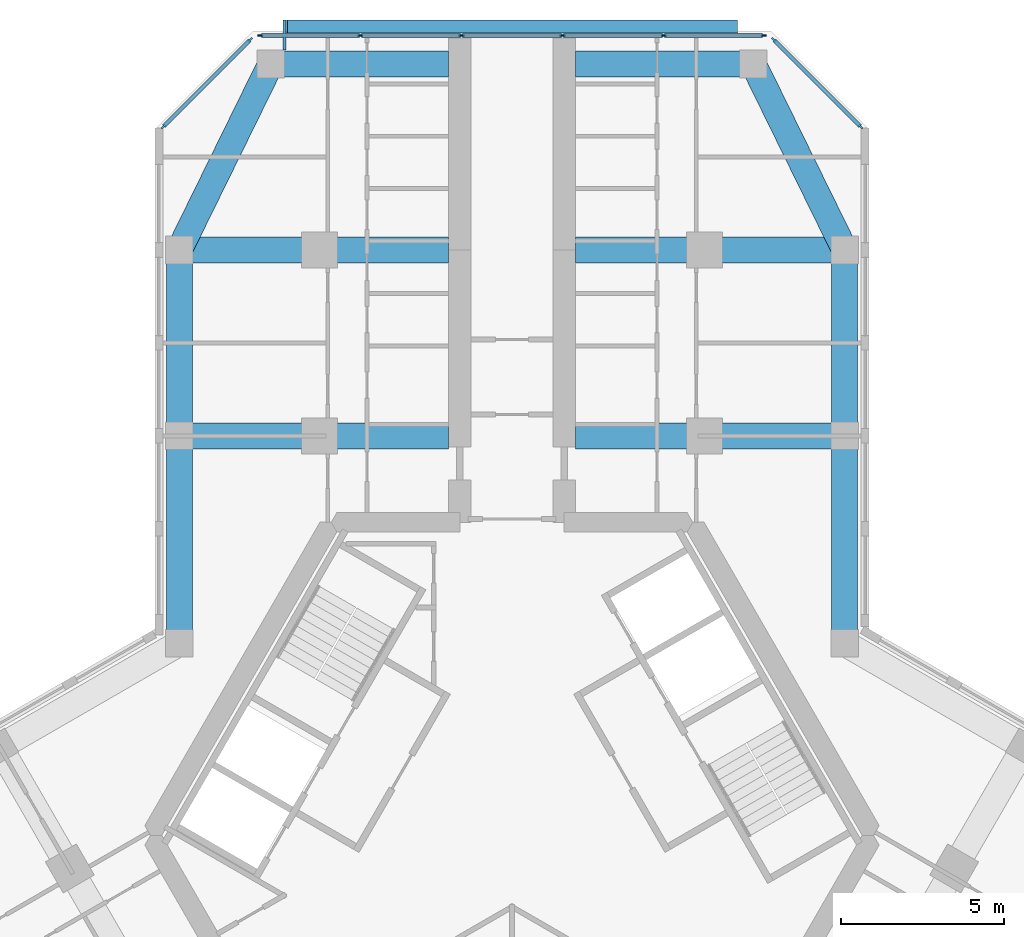
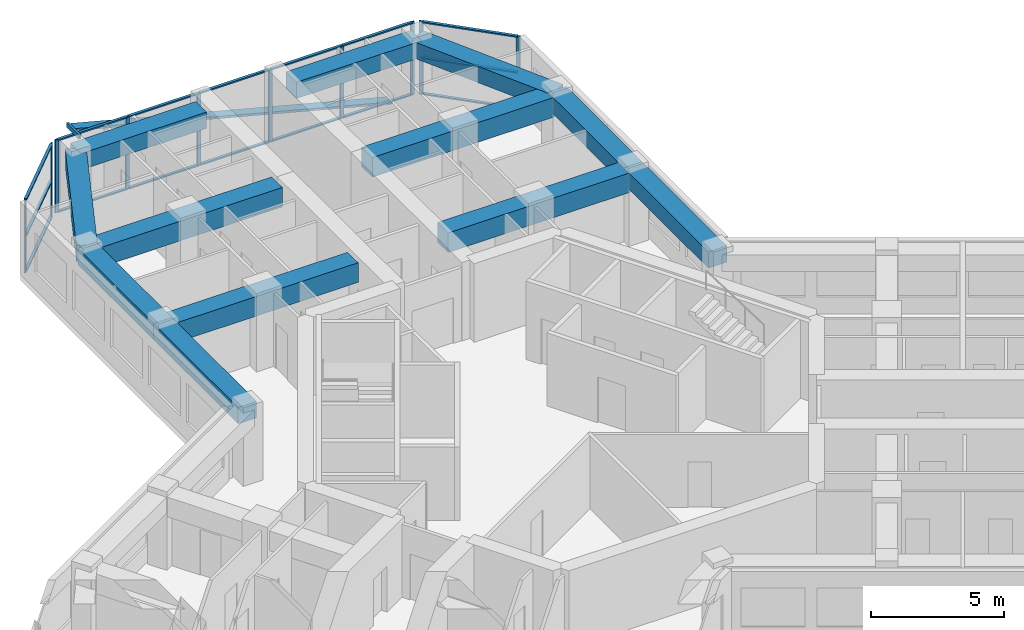
# One storey, part 6 of 16: 28 members, 12 beams, 3 elements without a shape of their own.
"""IFC4 building model written with IfcOpenShell, lengths in metres."""

import ifcopenshell
import ifcopenshell.guid

model = None  # the IFC model being written
_history = None  # IfcOwnerHistory: only IFC2X3 demands one
_inside = {}  # id of a spatial element -> (the spatial element, [elements in it])
_under = {}  # id of a project, library or spatial element -> (it, [spatial elements below it])
_declared = {}  # id of a project -> (the project, [libraries it declares])
_typed = {}  # id of a type object -> (the type object, [elements of that type])
_made_of = {}  # id of a material, layer set ... -> (it, [elements and type objects made of it])


def new_model(schema):
    """Start an empty IFC model of exactly this schema.

    Asked for "IFC4X3", IfcOpenShell would pick the latest addendum, in which some entities
    have other attributes; the version numbers below select the first issue.
    IFC2X3 requires an IfcOwnerHistory on every rooted entity: one is made here for all.
    """
    global model, _history
    if schema == "IFC4X3":
        model = ifcopenshell.file(schema_version=(4, 3, 0, 0))
    else:
        model = ifcopenshell.file(schema=schema)
    _inside.clear()
    _under.clear()
    _declared.clear()
    _typed.clear()
    _made_of.clear()
    _history = None
    if model.schema == "IFC2X3":
        org = make("IfcOrganization", Name="unknown")
        user = make(
            "IfcPersonAndOrganization",
            ThePerson=make("IfcPerson", FamilyName="unknown"),
            TheOrganization=org,
        )
        app = make(
            "IfcApplication",
            ApplicationDeveloper=org,
            Version="unknown",
            ApplicationFullName="unknown",
            ApplicationIdentifier="unknown",
        )
        _history = make(
            "IfcOwnerHistory",
            OwningUser=user,
            OwningApplication=app,
            ChangeAction="ADDED",
            CreationDate=0,
        )
    return model


def make(cls, **values):
    """One entity of the class cls with the attributes given. An attribute that is None is left unset."""
    return model.create_entity(
        cls, **{name: value for name, value in values.items() if value is not None}
    )


def rooted(cls, **values):
    """An entity with a GlobalId (a new one), such as an element, a storey or a relation."""
    return make(cls, GlobalId=ifcopenshell.guid.new(), OwnerHistory=_history, **values)


def si_unit(unit_type, name, prefix=None):
    """IfcSIUnit, for example si_unit("LENGTHUNIT", "METRE", prefix="MILLI")."""
    return make("IfcSIUnit", UnitType=unit_type, Prefix=prefix, Name=name)


def assignment(units):
    """IfcUnitAssignment: the units of a project."""
    return None if units is None else make("IfcUnitAssignment", Units=units)


def point(xyz):
    """IfcCartesianPoint."""
    return None if xyz is None else make("IfcCartesianPoint", Coordinates=xyz)


def direction(xyz):
    """IfcDirection."""
    return None if xyz is None else make("IfcDirection", DirectionRatios=xyz)


def frame(location, z_axis=None, x_axis=None):
    """IfcAxis2Placement3D, a coordinate frame: its origin and axes. An axis left out is left unset."""
    return make(
        "IfcAxis2Placement3D",
        Location=point(location),
        Axis=direction(z_axis),
        RefDirection=direction(x_axis),
    )


def frame_2d(location, x_axis=None):
    """IfcAxis2Placement2D, a coordinate frame in the plane: its origin and x axis."""
    return make(
        "IfcAxis2Placement2D", Location=point(location), RefDirection=direction(x_axis)
    )


def origin():
    """The frame at (0, 0, 0) with its axes left unset."""
    return frame((0.0, 0.0, 0.0))


def origin_2d():
    """The frame at (0, 0) in the plane with its x axis left unset."""
    return frame_2d((0.0, 0.0))


def place(relative_to, where):
    """IfcLocalPlacement: puts the frame where relative to a parent placement (None: the world)."""
    return make(
        "IfcLocalPlacement", PlacementRelTo=relative_to, RelativePlacement=where
    )


def context(
    kind, dimensions, precision=None, world=None, true_north=None, identifier=None
):
    """IfcGeometricRepresentationContext, for example the 3D "Model" context."""
    return make(
        "IfcGeometricRepresentationContext",
        ContextIdentifier=identifier,
        ContextType=kind,
        CoordinateSpaceDimension=dimensions,
        Precision=precision,
        WorldCoordinateSystem=world,
        TrueNorth=true_north,
    )


def subcontext(parent, identifier, kind, view, scale=None):
    """IfcGeometricRepresentationSubContext, for example "Body" below "Model"."""
    return make(
        "IfcGeometricRepresentationSubContext",
        ContextIdentifier=identifier,
        ContextType=kind,
        ParentContext=parent,
        TargetScale=scale,
        TargetView=view,
    )


def project(units=None, contexts=None):
    """IfcProject with its units and contexts."""
    return rooted(
        "IfcProject",
        Name="project",
        RepresentationContexts=contexts,
        UnitsInContext=assignment(units),
    )


def spatial(cls, under=None, at=None, **own):
    """A site, building, storey or space (cls), placed at a placement, below another one or the project."""
    s = rooted(cls, ObjectPlacement=at, **own)
    if under is not None:
        _under.setdefault(under.id(), (under, []))[1].append(s)
    return s


def profile(cls, at=None, kind="AREA", **sizes):
    """A parametric profile (cls). Its sizes go by their IFC names, for example OverallWidth=200.0."""
    return make(cls, ProfileType=kind, Position=at, **sizes)


def rectangle(**sizes):
    """IfcRectangleProfileDef."""
    return profile("IfcRectangleProfileDef", **sizes)


def hollow_rectangle(**sizes):
    """IfcRectangleHollowProfileDef."""
    return profile("IfcRectangleHollowProfileDef", **sizes)


def extrude(swept, where, along, depth):
    """IfcExtrudedAreaSolid: the profile swept, set in the frame where, extruded along a direction by depth."""
    return make(
        "IfcExtrudedAreaSolid",
        SweptArea=swept,
        Position=where,
        ExtrudedDirection=direction(along),
        Depth=depth,
    )


def shape(context_of_items, identifier, shape_type, items):
    """IfcShapeRepresentation: the items that make up one representation, for example the "Body"."""
    return make(
        "IfcShapeRepresentation",
        ContextOfItems=context_of_items,
        RepresentationIdentifier=identifier,
        RepresentationType=shape_type,
        Items=items,
    )


def material(Name=None, Category=None):
    """IfcMaterial."""
    return make("IfcMaterial", Name=Name, Category=Category)


def material_profile(
    of_material, cross_section, Name=None, Category=None, Priority=None
):
    """IfcMaterialProfile: a cross section and its material."""
    return make(
        "IfcMaterialProfile",
        Name=Name,
        Material=of_material,
        Profile=cross_section,
        Priority=Priority,
        Category=Category,
    )


def profile_set(profiles, Name=None, composite=None):
    """IfcMaterialProfileSet."""
    return make(
        "IfcMaterialProfileSet",
        Name=Name,
        MaterialProfiles=profiles,
        CompositeProfile=composite,
    )


def made_of(thing, what):
    """Note that an element or type object is made of a material, layer set ...; save() writes the relation."""
    if what is not None:
        _made_of.setdefault(what.id(), (what, []))[1].append(thing)
    return thing


def type_object(cls, material=None, **own):
    """A type object (cls), such as IfcWallType, which elements share."""
    return made_of(rooted(cls, **own), material)


def element(
    cls,
    number,
    at=None,
    inside=None,
    cuts=None,
    type_object=None,
    material=None,
    context=None,
    identifier="Body",
    shape_type=None,
    held_by="IfcProductDefinitionShape",
    body=None,
    shapes=None,
    **own,
):
    """One element of the class cls, such as IfcWall. Its Tag is "e" and its number.

    at: its placement. inside: the storey or other place that contains it. cuts: it is an
    opening in that element (IfcRelVoidsElement). A single representation is given by context,
    identifier, shape_type and body (its items); several are given by shapes. held_by: the class
    of the entity that holds the representations. save() writes the other relations.
    """
    e = rooted(cls, Tag="e%d" % number, ObjectPlacement=at, **own)
    if body is not None:
        shapes = [shape(context, identifier, shape_type, body)]
    if shapes is not None:
        e.Representation = make(held_by, Representations=shapes)
    if inside is not None:
        _inside.setdefault(inside.id(), (inside, []))[1].append(e)
    if cuts is not None:
        rooted(
            "IfcRelVoidsElement", RelatingBuildingElement=cuts, RelatedOpeningElement=e
        )
    if type_object is not None:
        _typed.setdefault(type_object.id(), (type_object, []))[1].append(e)
    return made_of(e, material)


def aggregate(whole, parts):
    """IfcRelAggregates: a whole, such as a stair, and the parts it consists of."""
    return rooted("IfcRelAggregates", RelatingObject=whole, RelatedObjects=parts)


def save(model, path):
    """Write the relations noted so far, then the file.

    IfcRelAggregates (storeys below a building ...), IfcRelContainedInSpatialStructure (elements
    in a storey), IfcRelDefinesByType, IfcRelAssociatesMaterial and IfcRelDeclares: one each for
    every whole, place, type object, material and project.
    """
    for whole, parts in _under.values():
        aggregate(whole, parts)
    for where, things in _inside.values():
        rooted(
            "IfcRelContainedInSpatialStructure",
            RelatedElements=things,
            RelatingStructure=where,
        )
    for kind, things in _typed.values():
        rooted("IfcRelDefinesByType", RelatedObjects=things, RelatingType=kind)
    for what, things in _made_of.values():
        rooted("IfcRelAssociatesMaterial", RelatedObjects=things, RelatingMaterial=what)
    for by, libraries in _declared.values():
        rooted("IfcRelDeclares", RelatingContext=by, RelatedDefinitions=libraries)
    model.write(path)


model = new_model("IFC4")

# Units and contexts
model_context = context("Model", 3, precision=1e-05, world=origin(), true_north=direction((0.0, 1.0)))
body_context = subcontext(model_context, "Body", "Model", "MODEL_VIEW")
ifc_project = project(units=[si_unit("LENGTHUNIT", "METRE"), si_unit("AREAUNIT", "SQUARE_METRE"), si_unit("VOLUMEUNIT", "CUBIC_METRE"), si_unit("PLANEANGLEUNIT", "RADIAN"), si_unit("MASSUNIT", "GRAM", prefix="KILO")], contexts=[model_context])

# Site, building, storey
site_placement = place(None, origin())
site = spatial("IfcSite", under=ifc_project, at=site_placement, CompositionType="ELEMENT")
building_placement = place(site_placement, origin())
building = spatial("IfcBuilding", under=site, at=building_placement, Name="Kosmar Iwan School Tower", CompositionType="ELEMENT")
storey_placement = place(building_placement, frame((0.0, 0.0, 238.800048828125)))
storey = spatial("IfcBuildingStorey", under=building, at=storey_placement, Name="L60", CompositionType="ELEMENT", Elevation=238.800048828125)

# Members
ifc_material_1 = material(Name="Black anodised aluminium", Category="aluminium")
ifc_material_profile_1 = material_profile(ifc_material_1, rectangle(XDim=0.10009765625, YDim=0.39990234375, at=origin_2d()), Name="FIN 100x400")
ifc_profile_set_1 = profile_set([ifc_material_profile_1], Name="Black anodised aluminium")
member_type_1 = type_object("IfcMemberType", Name="Diagonal fin 100x400", PredefinedType="USERDEFINED", material=ifc_profile_set_1)
member_1_placement = place(storey_placement, frame((6.898193359375, 24.800048828125, -0.150146484375), z_axis=(-0.967599450335, 0.0, 0.252490205179), x_axis=(0.252490205179, 0.0, 0.967599450335)))
element("IfcMember", 1, at=member_1_placement, inside=storey, type_object=member_type_1, Name="Diagonal fin L60-F06", ObjectType="FIN", PredefinedType="USERDEFINED", context=body_context, shape_type="SweptSolid", body=[
    extrude(rectangle(XDim=0.10009765625, YDim=0.39990234375, at=origin_2d()), origin(), (0.0, 0.0, 1.0), 14.25830078125),
])
ifc_material_2 = material(Name="Steel S355", Category="steel")
ifc_material_profile_2 = material_profile(ifc_material_2, hollow_rectangle(XDim=0.10009765625, YDim=0.199951171875, WallThickness=0.008056640625, at=origin_2d()), Name="RHS 200x100x8")
ifc_profile_set_2 = profile_set([ifc_material_profile_2], Name="Steel S355")
member_type_2 = type_object("IfcMemberType", Name="Fin bracket RHS 200x100", PredefinedType="USERDEFINED", material=ifc_profile_set_2)
member_2_placement = place(storey_placement, frame((-6.97509765625, 24.074951171875, 3.474853515625), z_axis=(0.0, 1.0, 0.0), x_axis=(-1.0, 0.0, 0.0)))
element("IfcMember", 2, at=member_2_placement, inside=storey, type_object=member_type_2, Name="Fin bracket L61", ObjectType="FIN BRACKET", PredefinedType="USERDEFINED", context=body_context, shape_type="SweptSolid", body=[
    extrude(hollow_rectangle(XDim=0.10009765625, YDim=0.199951171875, WallThickness=0.008056640625, at=origin_2d()), origin(), (0.0, 0.0, 1.0), 0.925048828125),
])

# Curtain wall, members
ifc_material_3 = material(Name="Dark glass in black aluminium frame", Category="aluminium")
curtain_wall_type_1 = type_object("IfcCurtainWallType", Name="Chamfer curtain wall dark glass", PredefinedType="USERDEFINED", material=ifc_material_3)
curtain_wall_1_placement = place(storey_placement, origin())
curtain_wall_1 = element("IfcCurtainWall", 3, at=curtain_wall_1_placement, inside=storey, type_object=curtain_wall_type_1, Name="Curtain wall L60-F05", ObjectType="FACETED CURTAIN WALL", PredefinedType="USERDEFINED")
ifc_material_4 = material(Name="Black anodised aluminium", Category="aluminium")
ifc_material_profile_3 = material_profile(ifc_material_4, rectangle(XDim=0.06005859375, YDim=0.159912109375, at=origin_2d()), Name="MULLION 60x160")
ifc_profile_set_3 = profile_set([ifc_material_profile_3], Name="Black anodised aluminium")
member_type_3 = type_object("IfcMemberType", Name="Mullion 60x160", PredefinedType="MULLION", material=ifc_profile_set_3)
member_3_placement = place(storey_placement, frame((10.69775390625, 21.7255859375, 0.0), z_axis=(0.0, 0.0, 1.0), x_axis=(-0.707106781187, -0.707106781187, 0.0)))
member_3 = element("IfcMember", 4, at=member_3_placement, type_object=member_type_3, Name="CW2 mullion 1", PredefinedType="MULLION", context=body_context, shape_type="SweptSolid", body=[
    extrude(rectangle(XDim=0.06005859375, YDim=0.159912109375, at=origin_2d()), origin(), (0.0, 0.0, 1.0), 3.349853515625),
])
member_4_placement = place(storey_placement, frame((8.025390625, 24.397705078125, 0.0), z_axis=(0.0, 0.0, 1.0), x_axis=(-0.707106781187, -0.707106781187, 0.0)))
member_4 = element("IfcMember", 5, at=member_4_placement, type_object=member_type_3, Name="CW2 mullion 2", PredefinedType="MULLION", context=body_context, shape_type="SweptSolid", body=[
    extrude(rectangle(XDim=0.06005859375, YDim=0.159912109375, at=origin_2d()), origin(), (0.0, 0.0, 1.0), 3.349853515625),
])

ifc_material_5 = material(Name="Dark glass in black aluminium frame", Category="aluminium")
curtain_wall_type_2 = type_object("IfcCurtainWallType", Name="Tower curtain wall dark glass", PredefinedType="USERDEFINED", material=ifc_material_5)
curtain_wall_2_placement = place(storey_placement, origin())
curtain_wall_2 = element("IfcCurtainWall", 6, at=curtain_wall_2_placement, inside=storey, type_object=curtain_wall_type_2, Name="Curtain wall L60-F06", ObjectType="UNITISED CURTAIN WALL", PredefinedType="USERDEFINED")
member_5_placement = place(storey_placement, frame((7.71826171875, 24.52490234375, 0.0), z_axis=(0.0, 0.0, 1.0), x_axis=(0.0, -1.0, 0.0)))
member_5 = element("IfcMember", 7, at=member_5_placement, type_object=member_type_3, Name="CW1 mullion 1", PredefinedType="MULLION", context=body_context, shape_type="SweptSolid", body=[
    extrude(rectangle(XDim=0.06005859375, YDim=0.159912109375, at=origin_2d()), origin(), (0.0, 0.0, 1.0), 3.349853515625),
])
member_6_placement = place(storey_placement, frame((4.64892578125, 24.52490234375, 0.0), z_axis=(0.0, 0.0, 1.0), x_axis=(0.0, -1.0, 0.0)))
member_6 = element("IfcMember", 8, at=member_6_placement, type_object=member_type_3, Name="CW1 mullion 2", PredefinedType="MULLION", context=body_context, shape_type="SweptSolid", body=[
    extrude(rectangle(XDim=0.06005859375, YDim=0.159912109375, at=origin_2d()), origin(), (0.0, 0.0, 1.0), 3.349853515625),
])
member_7_placement = place(storey_placement, frame((1.549560546875, 24.52490234375, 0.0), z_axis=(0.0, 0.0, 1.0), x_axis=(0.0, -1.0, 0.0)))
member_7 = element("IfcMember", 9, at=member_7_placement, type_object=member_type_3, Name="CW1 mullion 3", PredefinedType="MULLION", context=body_context, shape_type="SweptSolid", body=[
    extrude(rectangle(XDim=0.06005859375, YDim=0.159912109375, at=origin_2d()), origin(), (0.0, 0.0, 1.0), 3.349853515625),
])
member_8_placement = place(storey_placement, frame((-1.549560546875, 24.52490234375, 0.0), z_axis=(0.0, 0.0, 1.0), x_axis=(0.0, -1.0, 0.0)))
member_8 = element("IfcMember", 10, at=member_8_placement, type_object=member_type_3, Name="CW1 mullion 4", PredefinedType="MULLION", context=body_context, shape_type="SweptSolid", body=[
    extrude(rectangle(XDim=0.06005859375, YDim=0.159912109375, at=origin_2d()), origin(), (0.0, 0.0, 1.0), 3.349853515625),
])
member_9_placement = place(storey_placement, frame((-4.64892578125, 24.52490234375, 0.0), z_axis=(0.0, 0.0, 1.0), x_axis=(0.0, -1.0, 0.0)))
member_9 = element("IfcMember", 11, at=member_9_placement, type_object=member_type_3, Name="CW1 mullion 5", PredefinedType="MULLION", context=body_context, shape_type="SweptSolid", body=[
    extrude(rectangle(XDim=0.06005859375, YDim=0.159912109375, at=origin_2d()), origin(), (0.0, 0.0, 1.0), 3.349853515625),
])
member_10_placement = place(storey_placement, frame((-7.71826171875, 24.52490234375, 0.0), z_axis=(0.0, 0.0, 1.0), x_axis=(0.0, -1.0, 0.0)))
member_10 = element("IfcMember", 12, at=member_10_placement, type_object=member_type_3, Name="CW1 mullion 6", PredefinedType="MULLION", context=body_context, shape_type="SweptSolid", body=[
    extrude(rectangle(XDim=0.06005859375, YDim=0.159912109375, at=origin_2d()), origin(), (0.0, 0.0, 1.0), 3.349853515625),
])

curtain_wall_3_placement = place(storey_placement, origin())
curtain_wall_3 = element("IfcCurtainWall", 13, at=curtain_wall_3_placement, inside=storey, type_object=curtain_wall_type_1, Name="Curtain wall L60-F07", ObjectType="FACETED CURTAIN WALL", PredefinedType="USERDEFINED")
member_11_placement = place(storey_placement, frame((-8.025390625, 24.397705078125, 0.0), z_axis=(0.0, 0.0, 1.0), x_axis=(0.707106781187, -0.707106781187, 0.0)))
member_11 = element("IfcMember", 14, at=member_11_placement, type_object=member_type_3, Name="CW2 mullion 1", PredefinedType="MULLION", context=body_context, shape_type="SweptSolid", body=[
    extrude(rectangle(XDim=0.06005859375, YDim=0.159912109375, at=origin_2d()), origin(), (0.0, 0.0, 1.0), 3.349853515625),
])
member_12_placement = place(storey_placement, frame((-10.69775390625, 21.7255859375, 0.0), z_axis=(0.0, 0.0, 1.0), x_axis=(0.707106781187, -0.707106781187, 0.0)))
member_12 = element("IfcMember", 15, at=member_12_placement, type_object=member_type_3, Name="CW2 mullion 2", PredefinedType="MULLION", context=body_context, shape_type="SweptSolid", body=[
    extrude(rectangle(XDim=0.06005859375, YDim=0.159912109375, at=origin_2d()), origin(), (0.0, 0.0, 1.0), 3.349853515625),
])

# Beams
ifc_material_6 = material(Name="Concrete C50/60", Category="concrete")
ifc_material_profile_4 = material_profile(ifc_material_6, rectangle(XDim=0.800048828125, YDim=0.75, at=origin_2d()), Name="RC 800x750")
ifc_profile_set_4 = profile_set([ifc_material_profile_4], Name="Concrete C50/60")
beam_type_1 = type_object("IfcBeamType", Name="RC edge beam 800x750", PredefinedType="BEAM", material=ifc_profile_set_4)
beam_1_placement = place(storey_placement, frame((-10.199951171875, 5.888916015625, 2.974853515625), z_axis=(0.0, 1.0, 0.0), x_axis=(-1.0, 0.0, 0.0)))
element("IfcBeam", 16, at=beam_1_placement, inside=storey, type_object=beam_type_1, Name="Edge beam AL1", PredefinedType="BEAM", context=body_context, shape_type="SweptSolid", body=[
    extrude(rectangle(XDim=0.800048828125, YDim=0.75, at=origin_2d()), origin(), (0.0, 0.0, 1.0), 6.361083984375),
])
beam_2_placement = place(storey_placement, frame((-10.199951171875, 12.25, 2.974853515625), z_axis=(0.0, 1.0, 0.0), x_axis=(-1.0, 0.0, 0.0)))
element("IfcBeam", 17, at=beam_2_placement, inside=storey, type_object=beam_type_1, Name="Edge beam AL2", PredefinedType="BEAM", context=body_context, shape_type="SweptSolid", body=[
    extrude(rectangle(XDim=0.800048828125, YDim=0.75, at=origin_2d()), origin(), (0.0, 0.0, 1.0), 5.699951171875),
])
beam_3_placement = place(storey_placement, frame((10.199951171875, 5.888916015625, 2.974853515625), z_axis=(0.0, 1.0, 0.0), x_axis=(-1.0, 0.0, 0.0)))
element("IfcBeam", 18, at=beam_3_placement, inside=storey, type_object=beam_type_1, Name="Edge beam AR1", PredefinedType="BEAM", context=body_context, shape_type="SweptSolid", body=[
    extrude(rectangle(XDim=0.800048828125, YDim=0.75, at=origin_2d()), origin(), (0.0, 0.0, 1.0), 6.361083984375),
])
beam_4_placement = place(storey_placement, frame((10.199951171875, 12.25, 2.974853515625), z_axis=(0.0, 1.0, 0.0), x_axis=(-1.0, 0.0, 0.0)))
element("IfcBeam", 19, at=beam_4_placement, inside=storey, type_object=beam_type_1, Name="Edge beam AR2", PredefinedType="BEAM", context=body_context, shape_type="SweptSolid", body=[
    extrude(rectangle(XDim=0.800048828125, YDim=0.75, at=origin_2d()), origin(), (0.0, 0.0, 1.0), 5.699951171875),
])
ifc_material_7 = material(Name="Concrete C50/60", Category="concrete")
ifc_material_profile_5 = material_profile(ifc_material_7, rectangle(XDim=0.800048828125, YDim=0.75, at=origin_2d()), Name="RC 800x750")
ifc_profile_set_5 = profile_set([ifc_material_profile_5], Name="Concrete C50/60")
beam_type_2 = type_object("IfcBeamType", Name="RC tip beam 800x750", PredefinedType="BEAM", material=ifc_profile_set_5)
beam_5_placement = place(storey_placement, frame((-10.199951171875, 17.949951171875, 2.974853515625), z_axis=(0.440913116462, 0.897549788999, 0.0), x_axis=(-0.897549788999, 0.440913116462, 0.0)))
element("IfcBeam", 20, at=beam_5_placement, inside=storey, type_object=beam_type_2, Name="Tip beam AL", PredefinedType="BEAM", context=body_context, shape_type="SweptSolid", body=[
    extrude(rectangle(XDim=0.800048828125, YDim=0.75, at=origin_2d()), origin(), (0.0, 0.0, 1.0), 6.3505859375),
])
beam_6_placement = place(storey_placement, frame((-7.39990234375, 23.64990234375, 2.974853515625), z_axis=(1.0, 0.0, 0.0), x_axis=(0.0, 1.0, 0.0)))
element("IfcBeam", 21, at=beam_6_placement, inside=storey, type_object=beam_type_2, Name="Tip beam AL to corridor wall", PredefinedType="BEAM", context=body_context, shape_type="SweptSolid", body=[
    extrude(rectangle(XDim=0.800048828125, YDim=0.75, at=origin_2d()), origin(), (0.0, 0.0, 1.0), 5.449951171875),
])
beam_7_placement = place(storey_placement, frame((10.199951171875, 17.949951171875, 2.974853515625), z_axis=(-0.440913116462, 0.897549788999, 0.0), x_axis=(-0.897549788999, -0.440913116462, 0.0)))
element("IfcBeam", 22, at=beam_7_placement, inside=storey, type_object=beam_type_2, Name="Tip beam AR", PredefinedType="BEAM", context=body_context, shape_type="SweptSolid", body=[
    extrude(rectangle(XDim=0.800048828125, YDim=0.75, at=origin_2d()), origin(), (0.0, 0.0, 1.0), 6.3505859375),
])
beam_8_placement = place(storey_placement, frame((7.39990234375, 23.64990234375, 2.974853515625), z_axis=(-1.0, 0.0, 0.0), x_axis=(0.0, -1.0, 0.0)))
element("IfcBeam", 23, at=beam_8_placement, inside=storey, type_object=beam_type_2, Name="Tip beam AR to corridor wall", PredefinedType="BEAM", context=body_context, shape_type="SweptSolid", body=[
    extrude(rectangle(XDim=0.800048828125, YDim=0.75, at=origin_2d()), origin(), (0.0, 0.0, 1.0), 5.449951171875),
])
ifc_material_8 = material(Name="Concrete C50/60", Category="concrete")
ifc_material_profile_6 = material_profile(ifc_material_8, rectangle(XDim=0.800048828125, YDim=0.89990234375, at=origin_2d()), Name="RC 800x900")
ifc_profile_set_6 = profile_set([ifc_material_profile_6], Name="Concrete C50/60")
beam_type_3 = type_object("IfcBeamType", Name="RC transverse beam 800x900", PredefinedType="BEAM", material=ifc_profile_set_6)
for number, where, z_axis, x_axis, name in (
    (24, (-10.199951171875, 12.25, 2.89990234375), (1.0, 0.0, 0.0), (0.0, 1.0, 0.0), "Transverse beam AL1"),
    (25, (-10.199951171875, 17.949951171875, 2.89990234375), (1.0, 0.0, 0.0), (0.0, 1.0, 0.0), "Transverse beam AL2"),
    (26, (10.199951171875, 12.25, 2.89990234375), (-1.0, 0.0, 0.0), (0.0, -1.0, 0.0), "Transverse beam AR1"),
    (27, (10.199951171875, 17.949951171875, 2.89990234375), (-1.0, 0.0, 0.0), (0.0, -1.0, 0.0), "Transverse beam AR2"),
):
    element("IfcBeam", number, at=place(storey_placement, frame(where, z_axis=z_axis, x_axis=x_axis)), inside=storey, type_object=beam_type_3, Name=name, PredefinedType="BEAM", context=body_context, shape_type="SweptSolid", body=[
        extrude(rectangle(XDim=0.800048828125, YDim=0.89990234375, at=origin_2d()), origin(), (0.0, 0.0, 1.0), 8.25),
    ])

# Member
ifc_material_9 = material(Name="Black anodised aluminium", Category="aluminium")
ifc_material_profile_7 = material_profile(ifc_material_9, rectangle(XDim=0.1201171875, YDim=0.06005859375, at=origin_2d()), Name="TRANSOM 60x120")
ifc_profile_set_7 = profile_set([ifc_material_profile_7], Name="Black anodised aluminium")
member_type_4 = type_object("IfcMemberType", Name="Transom 60x120", PredefinedType="USERDEFINED", material=ifc_profile_set_7)
member_13_placement = place(storey_placement, frame((10.676513671875, 21.746826171875, 0.030029296875), z_axis=(-0.707139603466, 0.707073957383, 0.0), x_axis=(-0.707073957383, -0.707139603466, 0.0)))
member_13 = element("IfcMember", 28, at=member_13_placement, type_object=member_type_4, Name="CW2 transom 1.1", ObjectType="TRANSOM", PredefinedType="USERDEFINED", context=body_context, shape_type="SweptSolid", body=[
    extrude(rectangle(XDim=0.1201171875, YDim=0.06005859375, at=origin_2d()), origin(), (0.0, 0.0, 1.0), 3.718994140625),
])

member_14_placement = place(storey_placement, frame((10.676513671875, 21.746826171875, 1.675048828125), z_axis=(-0.707139603466, 0.707073957383, 0.0), x_axis=(-0.707073957383, -0.707139603466, 0.0)))
member_14 = element("IfcMember", 29, at=member_14_placement, type_object=member_type_4, Name="CW2 transom 1.2", ObjectType="TRANSOM", PredefinedType="USERDEFINED", context=body_context, shape_type="SweptSolid", body=[
    extrude(rectangle(XDim=0.1201171875, YDim=0.06005859375, at=origin_2d()), origin(), (0.0, 0.0, 1.0), 3.718994140625),
])

member_15_placement = place(storey_placement, frame((10.676513671875, 21.746826171875, 3.320068359375), z_axis=(-0.707139603466, 0.707073957383, 0.0), x_axis=(-0.707073957383, -0.707139603466, 0.0)))
member_15 = element("IfcMember", 30, at=member_15_placement, type_object=member_type_4, Name="CW2 transom 1.3", ObjectType="TRANSOM", PredefinedType="USERDEFINED", context=body_context, shape_type="SweptSolid", body=[
    extrude(rectangle(XDim=0.1201171875, YDim=0.06005859375, at=origin_2d()), origin(), (0.0, 0.0, 1.0), 3.718994140625),
])

aggregate(curtain_wall_1, [member_3, member_4, member_13, member_14, member_15])

member_16_placement = place(storey_placement, frame((7.688232421875, 24.52490234375, 0.030029296875), z_axis=(-1.0, 0.0, 0.0), x_axis=(0.0, -1.0, 0.0)))
member_16 = element("IfcMember", 31, at=member_16_placement, type_object=member_type_4, Name="CW1 transom 1.1", ObjectType="TRANSOM", PredefinedType="USERDEFINED", context=body_context, shape_type="SweptSolid", body=[
    extrude(rectangle(XDim=0.1201171875, YDim=0.06005859375, at=origin_2d()), origin(), (0.0, 0.0, 1.0), 3.00927734375),
])

member_17_placement = place(storey_placement, frame((7.688232421875, 24.52490234375, 3.320068359375), z_axis=(-1.0, 0.0, 0.0), x_axis=(0.0, -1.0, 0.0)))
member_17 = element("IfcMember", 32, at=member_17_placement, type_object=member_type_4, Name="CW1 transom 1.2", ObjectType="TRANSOM", PredefinedType="USERDEFINED", context=body_context, shape_type="SweptSolid", body=[
    extrude(rectangle(XDim=0.1201171875, YDim=0.06005859375, at=origin_2d()), origin(), (0.0, 0.0, 1.0), 3.00927734375),
])

member_18_placement = place(storey_placement, frame((4.618896484375, 24.52490234375, 0.030029296875), z_axis=(-1.0, 0.0, 0.0), x_axis=(0.0, -1.0, 0.0)))
member_18 = element("IfcMember", 33, at=member_18_placement, type_object=member_type_4, Name="CW1 transom 2.1", ObjectType="TRANSOM", PredefinedType="USERDEFINED", context=body_context, shape_type="SweptSolid", body=[
    extrude(rectangle(XDim=0.1201171875, YDim=0.06005859375, at=origin_2d()), origin(), (0.0, 0.0, 1.0), 3.039306640625),
])

member_19_placement = place(storey_placement, frame((4.618896484375, 24.52490234375, 3.320068359375), z_axis=(-1.0, 0.0, 0.0), x_axis=(0.0, -1.0, 0.0)))
member_19 = element("IfcMember", 34, at=member_19_placement, type_object=member_type_4, Name="CW1 transom 2.2", ObjectType="TRANSOM", PredefinedType="USERDEFINED", context=body_context, shape_type="SweptSolid", body=[
    extrude(rectangle(XDim=0.1201171875, YDim=0.06005859375, at=origin_2d()), origin(), (0.0, 0.0, 1.0), 3.039306640625),
])

member_20_placement = place(storey_placement, frame((1.51953125, 24.52490234375, 0.030029296875), z_axis=(-1.0, 0.0, 0.0), x_axis=(0.0, -1.0, 0.0)))
member_20 = element("IfcMember", 35, at=member_20_placement, type_object=member_type_4, Name="CW1 transom 3.1", ObjectType="TRANSOM", PredefinedType="USERDEFINED", context=body_context, shape_type="SweptSolid", body=[
    extrude(rectangle(XDim=0.1201171875, YDim=0.06005859375, at=origin_2d()), origin(), (0.0, 0.0, 1.0), 3.0390625),
])

member_21_placement = place(storey_placement, frame((1.51953125, 24.52490234375, 3.320068359375), z_axis=(-1.0, 0.0, 0.0), x_axis=(0.0, -1.0, 0.0)))
member_21 = element("IfcMember", 36, at=member_21_placement, type_object=member_type_4, Name="CW1 transom 3.2", ObjectType="TRANSOM", PredefinedType="USERDEFINED", context=body_context, shape_type="SweptSolid", body=[
    extrude(rectangle(XDim=0.1201171875, YDim=0.06005859375, at=origin_2d()), origin(), (0.0, 0.0, 1.0), 3.0390625),
])

member_22_placement = place(storey_placement, frame((-1.57958984375, 24.52490234375, 0.030029296875), z_axis=(-1.0, 0.0, 0.0), x_axis=(0.0, -1.0, 0.0)))
member_22 = element("IfcMember", 37, at=member_22_placement, type_object=member_type_4, Name="CW1 transom 4.1", ObjectType="TRANSOM", PredefinedType="USERDEFINED", context=body_context, shape_type="SweptSolid", body=[
    extrude(rectangle(XDim=0.1201171875, YDim=0.06005859375, at=origin_2d()), origin(), (0.0, 0.0, 1.0), 3.039306640625),
])

member_23_placement = place(storey_placement, frame((-1.57958984375, 24.52490234375, 3.320068359375), z_axis=(-1.0, 0.0, 0.0), x_axis=(0.0, -1.0, 0.0)))
member_23 = element("IfcMember", 38, at=member_23_placement, type_object=member_type_4, Name="CW1 transom 4.2", ObjectType="TRANSOM", PredefinedType="USERDEFINED", context=body_context, shape_type="SweptSolid", body=[
    extrude(rectangle(XDim=0.1201171875, YDim=0.06005859375, at=origin_2d()), origin(), (0.0, 0.0, 1.0), 3.039306640625),
])

member_24_placement = place(storey_placement, frame((-4.678955078125, 24.52490234375, 0.030029296875), z_axis=(-1.0, 0.0, 0.0), x_axis=(0.0, -1.0, 0.0)))
member_24 = element("IfcMember", 39, at=member_24_placement, type_object=member_type_4, Name="CW1 transom 5.1", ObjectType="TRANSOM", PredefinedType="USERDEFINED", context=body_context, shape_type="SweptSolid", body=[
    extrude(rectangle(XDim=0.1201171875, YDim=0.06005859375, at=origin_2d()), origin(), (0.0, 0.0, 1.0), 3.00927734375),
])

member_25_placement = place(storey_placement, frame((-4.678955078125, 24.52490234375, 3.320068359375), z_axis=(-1.0, 0.0, 0.0), x_axis=(0.0, -1.0, 0.0)))
member_25 = element("IfcMember", 40, at=member_25_placement, type_object=member_type_4, Name="CW1 transom 5.2", ObjectType="TRANSOM", PredefinedType="USERDEFINED", context=body_context, shape_type="SweptSolid", body=[
    extrude(rectangle(XDim=0.1201171875, YDim=0.06005859375, at=origin_2d()), origin(), (0.0, 0.0, 1.0), 3.00927734375),
])

aggregate(curtain_wall_2, [member_5, member_6, member_7, member_8, member_9, member_10, member_16, member_17, member_18, member_19, member_20, member_21, member_22, member_23, member_24, member_25])

member_26_placement = place(storey_placement, frame((-8.046630859375, 24.37646484375, 0.030029296875), z_axis=(-0.707139603466, -0.707073957383, 0.0), x_axis=(0.707073957383, -0.707139603466, 0.0)))
member_26 = element("IfcMember", 41, at=member_26_placement, type_object=member_type_4, Name="CW2 transom 1.1", ObjectType="TRANSOM", PredefinedType="USERDEFINED", context=body_context, shape_type="SweptSolid", body=[
    extrude(rectangle(XDim=0.1201171875, YDim=0.06005859375, at=origin_2d()), origin(), (0.0, 0.0, 1.0), 3.718994140625),
])

member_27_placement = place(storey_placement, frame((-8.046630859375, 24.37646484375, 1.675048828125), z_axis=(-0.707139603466, -0.707073957383, 0.0), x_axis=(0.707073957383, -0.707139603466, 0.0)))
member_27 = element("IfcMember", 42, at=member_27_placement, type_object=member_type_4, Name="CW2 transom 1.2", ObjectType="TRANSOM", PredefinedType="USERDEFINED", context=body_context, shape_type="SweptSolid", body=[
    extrude(rectangle(XDim=0.1201171875, YDim=0.06005859375, at=origin_2d()), origin(), (0.0, 0.0, 1.0), 3.718994140625),
])

member_28_placement = place(storey_placement, frame((-8.046630859375, 24.37646484375, 3.320068359375), z_axis=(-0.707139603466, -0.707073957383, 0.0), x_axis=(0.707073957383, -0.707139603466, 0.0)))
member_28 = element("IfcMember", 43, at=member_28_placement, type_object=member_type_4, Name="CW2 transom 1.3", ObjectType="TRANSOM", PredefinedType="USERDEFINED", context=body_context, shape_type="SweptSolid", body=[
    extrude(rectangle(XDim=0.1201171875, YDim=0.06005859375, at=origin_2d()), origin(), (0.0, 0.0, 1.0), 3.718994140625),
])

aggregate(curtain_wall_3, [member_11, member_12, member_26, member_27, member_28])

save(model, "model.ifc")
